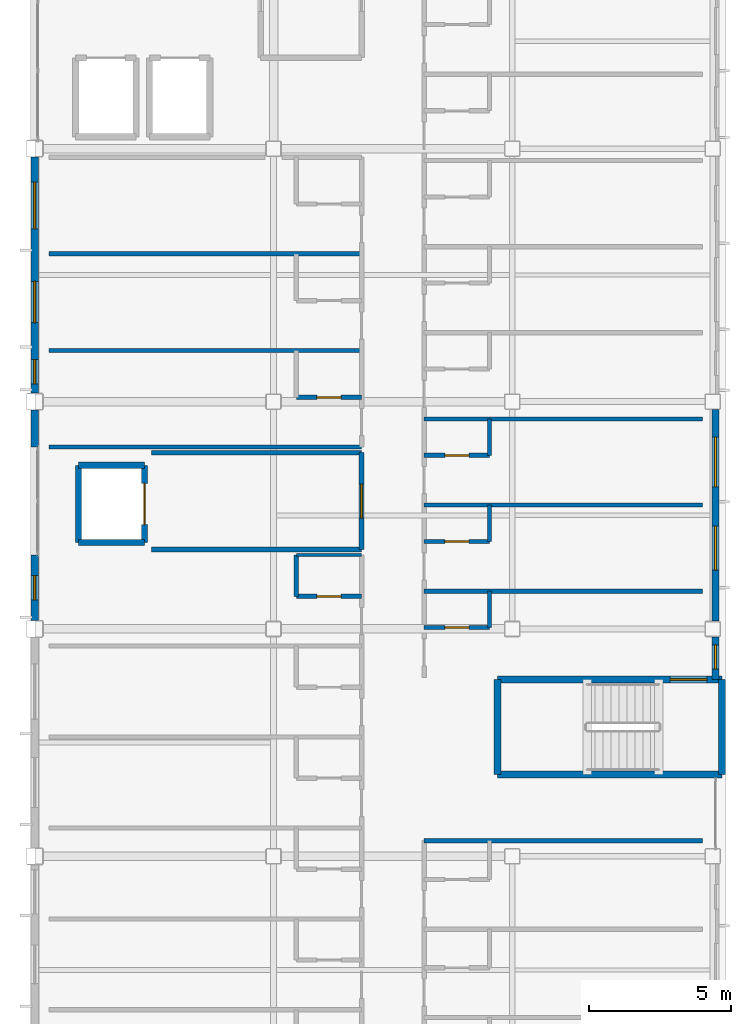
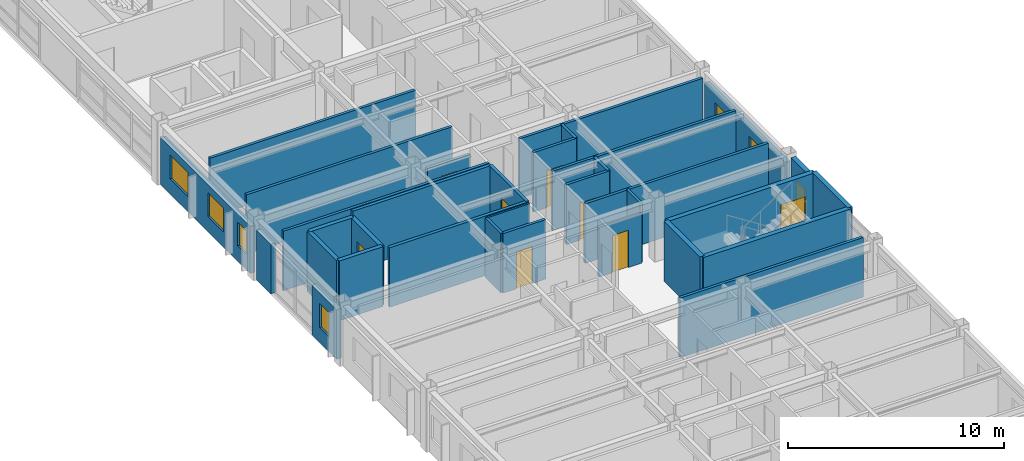
# One storey, part 25 of 38: 33 walls, 8 doors, 7 windows, 15 openings.
"""IFC4 building model written with IfcOpenShell, lengths in metres."""

from ifc_helpers import new_model, si_unit, direction, frame, frame_2d, origin, place, context, subcontext, project, spatial, rectangle, extrude, material, layer, layer_set, type_object, element, fill, save


model = new_model("IFC4")

# Units and contexts
model_context = context("Model", 3, precision=1e-05, world=origin(), true_north=direction((0.0, 1.0)))
body_context = subcontext(model_context, "Body", "Model", "MODEL_VIEW")
ifc_project = project(units=[si_unit("LENGTHUNIT", "METRE"), si_unit("AREAUNIT", "SQUARE_METRE"), si_unit("VOLUMEUNIT", "CUBIC_METRE"), si_unit("PLANEANGLEUNIT", "RADIAN"), si_unit("MASSUNIT", "GRAM", prefix="KILO")], contexts=[model_context])

# Site, building, storey
site_placement = place(None, origin())
site = spatial("IfcSite", under=ifc_project, at=site_placement, CompositionType="ELEMENT")
building_placement = place(site_placement, origin())
building = spatial("IfcBuilding", under=site, at=building_placement, Name="Kazehara Bluff Congress Hotel", CompositionType="ELEMENT")
storey_placement = place(building_placement, frame((0.0, 0.0, 24.60009765625)))
storey = spatial("IfcBuildingStorey", under=building, at=storey_placement, Name="L05", CompositionType="ELEMENT", Elevation=24.60009765625)

# Walls
ifc_material_1 = material(Name="Concrete C40/50", Category="concrete")
ifc_layer_1 = layer(ifc_material_1, 0.25)
ifc_layer_set_1 = layer_set([ifc_layer_1], Name="Concrete C40/50")
wall_type_1 = type_object("IfcWallType", Name="TP-CW-RC", PredefinedType="SHEAR", material=ifc_layer_set_1)
for number, where, z_axis, x_axis, name in (
    (1, (167.875, 22.22509765625, 0.0), (0.0, 0.0, 1.0), (0.0, -1.0, 0.0), "L05 ST-10 core wall near"),
    (2, (159.97509765625, 18.875, 0.0), (0.0, 0.0, 1.0), (0.0, 1.0, 0.0), "L05 ST-10 core wall far"),
):
    element("IfcWall", number, at=place(storey_placement, frame(where, z_axis=z_axis, x_axis=x_axis)), inside=storey, type_object=wall_type_1, Name=name, PredefinedType="SHEAR", context=body_context, shape_type="SweptSolid", body=[
        extrude(rectangle(XDim=3.35009765625, YDim=0.25, at=frame_2d((1.675048828125, 0.0))), origin(), (0.0, 0.0, 1.0), 3.3798828125),
    ])

# Wall, opening, door
wall_1_placement = place(storey_placement, frame((159.97509765625, 22.22509765625, 0.0), z_axis=(0.0, 0.0, 1.0), x_axis=(1.0, 0.0, 0.0)))
wall_1 = element("IfcWall", 3, at=wall_1_placement, inside=storey, type_object=wall_type_1, Name="L05 ST-10 core wall left", PredefinedType="SHEAR", context=body_context, shape_type="SweptSolid", body=[
    extrude(rectangle(XDim=7.89990234375, YDim=0.25, at=frame_2d((3.949951171875, 0.0))), origin(), (0.0, 0.0, 1.0), 3.3798828125),
])
opening_1_placement = place(wall_1_placement, frame((6.074951171875, 0.0, 0.0)))
opening_1 = element("IfcOpeningElement", 4, at=opening_1_placement, cuts=wall_1, Name="Opening FD-01", PredefinedType="OPENING", context=body_context, shape_type="SweptSolid", body=[
    extrude(rectangle(XDim=1.300048828125, YDim=2.199951171875, at=frame_2d((0.64990234375, 1.10009765625))), frame((0.0, 0.135009765625, 0.0), z_axis=(0.0, -1.0, 0.0), x_axis=(1.0, 0.0, 0.0)), (0.0, 0.0, 1.0), 0.27001953125),
])
ifc_material_2 = material(Name="Fire-rated painted steel leaf", Category="steel")
door_type_1 = type_object("IfcDoorType", Name="TP-FD-01", OperationType="NOTDEFINED", PredefinedType="DOOR", material=ifc_material_2)
door_1_placement = place(opening_1_placement, origin())
door_1 = element("IfcDoor", 5, at=door_1_placement, inside=storey, type_object=door_type_1, Name="L05 ST-10 fire stair door", OperationType="SINGLE_SWING_LEFT", OverallHeight=2.199951171875, OverallWidth=1.300048828125, PredefinedType="DOOR", context=body_context, shape_type="SweptSolid", body=[
    extrude(rectangle(XDim=1.300048828125, YDim=2.199951171875, at=frame_2d((0.64990234375, 1.10009765625))), frame((0.0, 0.02490234375, 0.0), z_axis=(0.0, -1.0, 0.0), x_axis=(1.0, 0.0, 0.0)), (0.0, 0.0, 1.0), 0.050048828125),
])
fill(opening_1, door_1)

# Wall
wall_2_placement = place(storey_placement, frame((167.875, 18.875, 0.0), z_axis=(0.0, 0.0, 1.0), x_axis=(-1.0, 0.0, 0.0)))
element("IfcWall", 6, at=wall_2_placement, inside=storey, type_object=wall_type_1, Name="L05 ST-10 core wall right", PredefinedType="SHEAR", context=body_context, shape_type="SweptSolid", body=[
    extrude(rectangle(XDim=7.89990234375, YDim=0.25, at=frame_2d((3.949951171875, 0.0))), origin(), (0.0, 0.0, 1.0), 3.3798828125),
])

# Wall, opening, window
ifc_material_3 = material(Name="Precast concrete C40/50", Category="concrete")
ifc_layer_2 = layer(ifc_material_3, 0.260009765625)
ifc_layer_set_2 = layer_set([ifc_layer_2], Name="Precast concrete C40/50")
wall_type_2 = type_object("IfcWallType", Name="TP-EW-260", PredefinedType="SOLIDWALL", material=ifc_layer_set_2)
wall_3_placement = place(storey_placement, frame((167.64990234375, 23.72509765625, 0.0), z_axis=(0.0, 0.0, 1.0), x_axis=(0.0, -1.0, 0.0)))
wall_3 = element("IfcWall", 7, at=wall_3_placement, inside=storey, type_object=wall_type_2, Name="L05 hotel facade panel 44", PredefinedType="SOLIDWALL", context=body_context, shape_type="SweptSolid", body=[
    extrude(rectangle(XDim=1.5, YDim=0.260009765625, at=frame_2d((0.75, 0.0))), origin(), (0.0, 0.0, 1.0), 3.364990234375),
])
opening_2_placement = place(wall_3_placement, frame((0.284912109375, 0.0, 0.85009765625)))
opening_2 = element("IfcOpeningElement", 8, at=opening_2_placement, cuts=wall_3, Name="Opening WN-55", PredefinedType="OPENING", context=body_context, shape_type="SweptSolid", body=[
    extrude(rectangle(XDim=0.85009765625, YDim=1.35009765625, at=frame_2d((0.425048828125, 0.675048828125))), frame((0.0, 0.139892578125, 0.0), z_axis=(0.0, -1.0, 0.0), x_axis=(1.0, 0.0, 0.0)), (0.0, 0.0, 1.0), 0.280029296875),
])
ifc_material_4 = material(Name="Insulated low-E double glazing", Category="glass")
window_type_1 = type_object("IfcWindowType", Name="TP-WN-55", PartitioningType="SINGLE_PANEL", PredefinedType="WINDOW", material=ifc_material_4)
window_1_placement = place(opening_2_placement, origin())
window_1 = element("IfcWindow", 9, at=window_1_placement, inside=storey, type_object=window_type_1, Name="L05 guestroom window WN-55 72", OverallHeight=1.35009765625, OverallWidth=0.85009765625, PartitioningType="SINGLE_PANEL", PredefinedType="WINDOW", context=body_context, shape_type="SweptSolid", body=[
    extrude(rectangle(XDim=0.85009765625, YDim=1.35009765625, at=frame_2d((0.425048828125, 0.675048828125))), frame((0.0, 0.030029296875, 0.0), z_axis=(0.0, -1.0, 0.0), x_axis=(1.0, 0.0, 0.0)), (0.0, 0.0, 1.0), 0.06005859375),
])
fill(opening_2, window_1)

# Wall, openings, windows
wall_4_placement = place(storey_placement, frame((167.64990234375, 31.72509765625, 0.0), z_axis=(0.0, 0.0, 1.0), x_axis=(0.0, -1.0, 0.0)))
wall_4 = element("IfcWall", 10, at=wall_4_placement, inside=storey, type_object=wall_type_2, Name="L05 hotel facade panel 45", PredefinedType="SOLIDWALL", context=body_context, shape_type="SweptSolid", body=[
    extrude(rectangle(XDim=7.4501953125, YDim=0.260009765625, at=frame_2d((3.72509765625, 0.0))), origin(), (0.0, 0.0, 1.0), 2.7548828125),
])
opening_3_placement = place(wall_4_placement, frame((4.10498046875, 0.0, 0.85009765625)))
opening_3 = element("IfcOpeningElement", 11, at=opening_3_placement, cuts=wall_4, Name="Opening WN-21", PredefinedType="OPENING", context=body_context, shape_type="SweptSolid", body=[
    extrude(rectangle(XDim=1.550048828125, YDim=1.35009765625, at=frame_2d((0.77490234375, 0.675048828125))), frame((0.0, 0.139892578125, 0.0), z_axis=(0.0, -1.0, 0.0), x_axis=(1.0, 0.0, 0.0)), (0.0, 0.0, 1.0), 0.280029296875),
])
opening_4_placement = place(wall_4_placement, frame((0.97509765625, 0.0, 0.85009765625)))
opening_4 = element("IfcOpeningElement", 12, at=opening_4_placement, cuts=wall_4, Name="Opening WN-31", PredefinedType="OPENING", context=body_context, shape_type="SweptSolid", body=[
    extrude(rectangle(XDim=1.75, YDim=1.35009765625, at=frame_2d((0.875, 0.675048828125))), frame((0.0, 0.139892578125, 0.0), z_axis=(0.0, -1.0, 0.0), x_axis=(1.0, 0.0, 0.0)), (0.0, 0.0, 1.0), 0.280029296875),
])
ifc_material_5 = material(Name="Insulated low-E double glazing", Category="glass")
window_type_2 = type_object("IfcWindowType", Name="TP-WN-21", PartitioningType="SINGLE_PANEL", PredefinedType="WINDOW", material=ifc_material_5)
window_2_placement = place(opening_3_placement, origin())
window_2 = element("IfcWindow", 13, at=window_2_placement, inside=storey, type_object=window_type_2, Name="L05 guestroom window WN-21 73", OverallHeight=1.35009765625, OverallWidth=1.550048828125, PartitioningType="SINGLE_PANEL", PredefinedType="WINDOW", context=body_context, shape_type="SweptSolid", body=[
    extrude(rectangle(XDim=1.550048828125, YDim=1.35009765625, at=frame_2d((0.77490234375, 0.675048828125))), frame((0.0, 0.030029296875, 0.0), z_axis=(0.0, -1.0, 0.0), x_axis=(1.0, 0.0, 0.0)), (0.0, 0.0, 1.0), 0.06005859375),
])
fill(opening_3, window_2)
ifc_material_6 = material(Name="Insulated low-E double glazing", Category="glass")
window_type_3 = type_object("IfcWindowType", Name="TP-WN-31", PartitioningType="SINGLE_PANEL", PredefinedType="WINDOW", material=ifc_material_6)
window_3_placement = place(opening_4_placement, origin())
window_3 = element("IfcWindow", 14, at=window_3_placement, inside=storey, type_object=window_type_3, Name="L05 guestroom window WN-31 74", OverallHeight=1.35009765625, OverallWidth=1.75, PartitioningType="SINGLE_PANEL", PredefinedType="WINDOW", context=body_context, shape_type="SweptSolid", body=[
    extrude(rectangle(XDim=1.75, YDim=1.35009765625, at=frame_2d((0.875, 0.675048828125))), frame((0.0, 0.030029296875, 0.0), z_axis=(0.0, -1.0, 0.0), x_axis=(1.0, 0.0, 0.0)), (0.0, 0.0, 1.0), 0.06005859375),
])
fill(opening_4, window_3)

# Wall, opening, window
wall_5_placement = place(storey_placement, frame((143.699951171875, 24.300048828125, 0.0), z_axis=(0.0, 0.0, 1.0), x_axis=(0.0, 1.0, 0.0)))
wall_5 = element("IfcWall", 15, at=wall_5_placement, inside=storey, type_object=wall_type_2, Name="L05 hotel facade panel 57", PredefinedType="SOLIDWALL", context=body_context, shape_type="SweptSolid", body=[
    extrude(rectangle(XDim=2.300048828125, YDim=0.260009765625, at=frame_2d((1.14990234375, 0.0))), origin(), (0.0, 0.0, 1.0), 2.804931640625),
])
opening_5_placement = place(wall_5_placement, frame((0.72509765625, 0.0, 0.85009765625)))
opening_5 = element("IfcOpeningElement", 16, at=opening_5_placement, cuts=wall_5, Name="Opening WN-55", PredefinedType="OPENING", context=body_context, shape_type="SweptSolid", body=[
    extrude(rectangle(XDim=0.85009765625, YDim=1.35009765625, at=frame_2d((0.425048828125, 0.675048828125))), frame((0.0, 0.139892578125, 0.0), z_axis=(0.0, -1.0, 0.0), x_axis=(1.0, 0.0, 0.0)), (0.0, 0.0, 1.0), 0.280029296875),
])
window_4_placement = place(opening_5_placement, origin())
window_4 = element("IfcWindow", 17, at=window_4_placement, inside=storey, type_object=window_type_1, Name="L05 guestroom window WN-55 101", OverallHeight=1.35009765625, OverallWidth=0.85009765625, PartitioningType="SINGLE_PANEL", PredefinedType="WINDOW", context=body_context, shape_type="SweptSolid", body=[
    extrude(rectangle(XDim=0.85009765625, YDim=1.35009765625, at=frame_2d((0.425048828125, 0.675048828125))), frame((0.0, 0.030029296875, 0.0), z_axis=(0.0, -1.0, 0.0), x_axis=(1.0, 0.0, 0.0)), (0.0, 0.0, 1.0), 0.06005859375),
])
fill(opening_5, window_4)

# Wall
wall_6_placement = place(storey_placement, frame((143.699951171875, 30.39990234375, 0.0), z_axis=(0.0, 0.0, 1.0), x_axis=(0.0, 1.0, 0.0)))
element("IfcWall", 18, at=wall_6_placement, inside=storey, type_object=wall_type_2, Name="L05 hotel facade panel 58", PredefinedType="SOLIDWALL", context=body_context, shape_type="SweptSolid", body=[
    extrude(rectangle(XDim=1.300048828125, YDim=0.260009765625, at=frame_2d((0.64990234375, 0.0))), origin(), (0.0, 0.0, 1.0), 2.804931640625),
])

# Wall, openings, windows
wall_7_placement = place(storey_placement, frame((143.699951171875, 32.300048828125, 0.0), z_axis=(0.0, 0.0, 1.0), x_axis=(0.0, 1.0, 0.0)))
wall_7 = element("IfcWall", 19, at=wall_7_placement, inside=storey, type_object=wall_type_2, Name="L05 hotel facade panel 59", PredefinedType="SOLIDWALL", context=body_context, shape_type="SweptSolid", body=[
    extrude(rectangle(XDim=8.300048828125, YDim=0.260009765625, at=frame_2d((4.14990234375, 0.0))), origin(), (0.0, 0.0, 1.0), 2.65478515625),
])
opening_6_placement = place(wall_7_placement, frame((0.324951171875, 0.0, 0.85009765625)))
opening_6 = element("IfcOpeningElement", 20, at=opening_6_placement, cuts=wall_7, Name="Opening WN-55", PredefinedType="OPENING", context=body_context, shape_type="SweptSolid", body=[
    extrude(rectangle(XDim=0.85009765625, YDim=1.35009765625, at=frame_2d((0.425048828125, 0.675048828125))), frame((0.0, 0.139892578125, 0.0), z_axis=(0.0, -1.0, 0.0), x_axis=(1.0, 0.0, 0.0)), (0.0, 0.0, 1.0), 0.280029296875),
])
opening_7_placement = place(wall_7_placement, frame((2.47509765625, 0.0, 0.85009765625)))
opening_7 = element("IfcOpeningElement", 21, at=opening_7_placement, cuts=wall_7, Name="Opening WN-16", PredefinedType="OPENING", context=body_context, shape_type="SweptSolid", body=[
    extrude(rectangle(XDim=1.449951171875, YDim=1.35009765625, at=frame_2d((0.72509765625, 0.675048828125))), frame((0.0, 0.139892578125, 0.0), z_axis=(0.0, -1.0, 0.0), x_axis=(1.0, 0.0, 0.0)), (0.0, 0.0, 1.0), 0.280029296875),
])
opening_8_placement = place(wall_7_placement, frame((5.77490234375, 0.0, 0.85009765625)))
opening_8 = element("IfcOpeningElement", 22, at=opening_8_placement, cuts=wall_7, Name="Opening WN-26", PredefinedType="OPENING", context=body_context, shape_type="SweptSolid", body=[
    extrude(rectangle(XDim=1.64990234375, YDim=1.35009765625, at=frame_2d((0.824951171875, 0.675048828125))), frame((0.0, 0.139892578125, 0.0), z_axis=(0.0, -1.0, 0.0), x_axis=(1.0, 0.0, 0.0)), (0.0, 0.0, 1.0), 0.280029296875),
])
ifc_material_7 = material(Name="Insulated low-E double glazing", Category="glass")
window_type_4 = type_object("IfcWindowType", Name="TP-WN-16", PartitioningType="SINGLE_PANEL", PredefinedType="WINDOW", material=ifc_material_7)
window_5_placement = place(opening_7_placement, origin())
window_5 = element("IfcWindow", 23, at=window_5_placement, inside=storey, type_object=window_type_4, Name="L05 guestroom window WN-16 103", OverallHeight=1.35009765625, OverallWidth=1.449951171875, PartitioningType="SINGLE_PANEL", PredefinedType="WINDOW", context=body_context, shape_type="SweptSolid", body=[
    extrude(rectangle(XDim=1.449951171875, YDim=1.35009765625, at=frame_2d((0.72509765625, 0.675048828125))), frame((0.0, 0.030029296875, 0.0), z_axis=(0.0, -1.0, 0.0), x_axis=(1.0, 0.0, 0.0)), (0.0, 0.0, 1.0), 0.06005859375),
])
fill(opening_7, window_5)
ifc_material_8 = material(Name="Insulated low-E double glazing", Category="glass")
window_type_5 = type_object("IfcWindowType", Name="TP-WN-26", PartitioningType="SINGLE_PANEL", PredefinedType="WINDOW", material=ifc_material_8)
window_6_placement = place(opening_8_placement, origin())
window_6 = element("IfcWindow", 24, at=window_6_placement, inside=storey, type_object=window_type_5, Name="L05 guestroom window WN-26 104", OverallHeight=1.35009765625, OverallWidth=1.64990234375, PartitioningType="SINGLE_PANEL", PredefinedType="WINDOW", context=body_context, shape_type="SweptSolid", body=[
    extrude(rectangle(XDim=1.64990234375, YDim=1.35009765625, at=frame_2d((0.824951171875, 0.675048828125))), frame((0.0, 0.030029296875, 0.0), z_axis=(0.0, -1.0, 0.0), x_axis=(1.0, 0.0, 0.0)), (0.0, 0.0, 1.0), 0.06005859375),
])
fill(opening_8, window_6)
window_7_placement = place(opening_6_placement, origin())
window_7 = element("IfcWindow", 25, at=window_7_placement, inside=storey, type_object=window_type_1, Name="L05 guestroom window WN-55 102", OverallHeight=1.35009765625, OverallWidth=0.85009765625, PartitioningType="SINGLE_PANEL", PredefinedType="WINDOW", context=body_context, shape_type="SweptSolid", body=[
    extrude(rectangle(XDim=0.85009765625, YDim=1.35009765625, at=frame_2d((0.425048828125, 0.675048828125))), frame((0.0, 0.030029296875, 0.0), z_axis=(0.0, -1.0, 0.0), x_axis=(1.0, 0.0, 0.0)), (0.0, 0.0, 1.0), 0.06005859375),
])
fill(opening_6, window_7)

# Walls
ifc_material_9 = material(Name="Fire-rated gypsum board stud partition")
ifc_layer_3 = layer(ifc_material_9, 0.094970703125)
ifc_layer_set_3 = layer_set([ifc_layer_3], Name="Fire-rated gypsum board stud partition")
wall_type_3 = type_object("IfcWallType", Name="TP-PT-095", PredefinedType="PARTITIONING", material=ifc_layer_set_3)
wall_8_placement = place(storey_placement, frame((152.89990234375, 26.60009765625, 0.0), z_axis=(0.0, 0.0, 1.0), x_axis=(1.0, 0.0, 0.0)))
element("IfcWall", 26, at=wall_8_placement, inside=storey, type_object=wall_type_3, Name="L05 partition PT-095 534", PredefinedType="PARTITIONING", context=body_context, shape_type="SweptSolid", body=[
    extrude(rectangle(XDim=2.300048828125, YDim=0.094970703125, at=frame_2d((1.14990234375, 0.0))), origin(), (0.0, 0.0, 1.0), 3.364990234375),
])
ifc_material_10 = material(Name="Fire-rated gypsum board stud partition")
ifc_layer_4 = layer(ifc_material_10, 0.14990234375)
ifc_layer_set_4 = layer_set([ifc_layer_4], Name="Fire-rated gypsum board stud partition")
wall_type_4 = type_object("IfcWallType", Name="TP-PT-150", PredefinedType="PARTITIONING", material=ifc_layer_set_4)
wall_9_placement = place(storey_placement, frame((157.39990234375, 16.550048828125, 0.0), z_axis=(0.0, 0.0, 1.0), x_axis=(1.0, 0.0, 0.0)))
element("IfcWall", 27, at=wall_9_placement, inside=storey, type_object=wall_type_4, Name="L05 partition PT-150 525", PredefinedType="PARTITIONING", context=body_context, shape_type="SweptSolid", body=[
    extrude(rectangle(XDim=9.800048828125, YDim=0.14990234375, at=frame_2d((4.89990234375, 0.0))), origin(), (0.0, 0.0, 1.0), 3.364990234375),
])

# Wall, opening, door
wall_10_placement = place(storey_placement, frame((157.39990234375, 24.050048828125, 0.0), z_axis=(0.0, 0.0, 1.0), x_axis=(1.0, 0.0, 0.0)))
wall_10 = element("IfcWall", 28, at=wall_10_placement, inside=storey, type_object=wall_type_4, Name="L05 partition PT-150 531", PredefinedType="PARTITIONING", context=body_context, shape_type="SweptSolid", body=[
    extrude(rectangle(XDim=2.300048828125, YDim=0.14990234375, at=frame_2d((1.14990234375, 0.0))), origin(), (0.0, 0.0, 1.0), 2.804931640625),
])
opening_9_placement = place(wall_10_placement, frame((0.72509765625, 0.0, 0.0)))
opening_9 = element("IfcOpeningElement", 29, at=opening_9_placement, cuts=wall_10, Name="Opening BD-01", PredefinedType="OPENING", context=body_context, shape_type="SweptSolid", body=[
    extrude(rectangle(XDim=0.85009765625, YDim=2.10009765625, at=frame_2d((0.425048828125, 1.050048828125))), frame((0.0, 0.0849609375, 0.0), z_axis=(0.0, -1.0, 0.0), x_axis=(1.0, 0.0, 0.0)), (0.0, 0.0, 1.0), 0.169921875),
])
ifc_material_11 = material(Name="Architectural oak veneer leaf")
door_type_2 = type_object("IfcDoorType", Name="TP-BD-01", OperationType="NOTDEFINED", PredefinedType="DOOR", material=ifc_material_11)
door_2_placement = place(opening_9_placement, origin())
door_2 = element("IfcDoor", 30, at=door_2_placement, inside=storey, type_object=door_type_2, Name="L05 En-suite Bathroom 97 door", OperationType="SINGLE_SWING_RIGHT", OverallHeight=2.10009765625, OverallWidth=0.85009765625, PredefinedType="DOOR", context=body_context, shape_type="SweptSolid", body=[
    extrude(rectangle(XDim=0.85009765625, YDim=2.10009765625, at=frame_2d((0.425048828125, 1.050048828125))), frame((0.0, 0.02490234375, 0.0), z_axis=(0.0, -1.0, 0.0), x_axis=(1.0, 0.0, 0.0)), (0.0, 0.0, 1.0), 0.050048828125),
])
fill(opening_9, door_2)

wall_11_placement = place(storey_placement, frame((152.89990234375, 25.14990234375, 0.0), z_axis=(0.0, 0.0, 1.0), x_axis=(1.0, 0.0, 0.0)))
wall_11 = element("IfcWall", 31, at=wall_11_placement, inside=storey, type_object=wall_type_4, Name="L05 partition PT-150 532", PredefinedType="PARTITIONING", context=body_context, shape_type="SweptSolid", body=[
    extrude(rectangle(XDim=2.300048828125, YDim=0.14990234375, at=frame_2d((1.14990234375, 0.0))), origin(), (0.0, 0.0, 1.0), 3.364990234375),
])
opening_10_placement = place(wall_11_placement, frame((0.72509765625, 0.0, 0.0)))
opening_10 = element("IfcOpeningElement", 32, at=opening_10_placement, cuts=wall_11, Name="Opening BD-01", PredefinedType="OPENING", context=body_context, shape_type="SweptSolid", body=[
    extrude(rectangle(XDim=0.85009765625, YDim=2.10009765625, at=frame_2d((0.425048828125, 1.050048828125))), frame((0.0, 0.0849609375, 0.0), z_axis=(0.0, -1.0, 0.0), x_axis=(1.0, 0.0, 0.0)), (0.0, 0.0, 1.0), 0.169921875),
])
door_3_placement = place(opening_10_placement, origin())
door_3 = element("IfcDoor", 33, at=door_3_placement, inside=storey, type_object=door_type_2, Name="L05 En-suite Bathroom 74 door", OperationType="SINGLE_SWING_RIGHT", OverallHeight=2.10009765625, OverallWidth=0.85009765625, PredefinedType="DOOR", context=body_context, shape_type="SweptSolid", body=[
    extrude(rectangle(XDim=0.85009765625, YDim=2.10009765625, at=frame_2d((0.425048828125, 1.050048828125))), frame((0.0, 0.02490234375, 0.0), z_axis=(0.0, -1.0, 0.0), x_axis=(1.0, 0.0, 0.0)), (0.0, 0.0, 1.0), 0.050048828125),
])
fill(opening_10, door_3)

# Wall
wall_12_placement = place(storey_placement, frame((157.39990234375, 25.330078125, 0.0), z_axis=(0.0, 0.0, 1.0), x_axis=(1.0, 0.0, 0.0)))
element("IfcWall", 34, at=wall_12_placement, inside=storey, type_object=wall_type_4, Name="L05 partition PT-150 533", PredefinedType="PARTITIONING", context=body_context, shape_type="SweptSolid", body=[
    extrude(rectangle(XDim=9.800048828125, YDim=0.14990234375, at=frame_2d((4.89990234375, 0.0))), origin(), (0.0, 0.0, 1.0), 3.364990234375),
])

# Wall, opening, door
wall_13_placement = place(storey_placement, frame((157.39990234375, 27.080078125, 0.0), z_axis=(0.0, 0.0, 1.0), x_axis=(1.0, 0.0, 0.0)))
wall_13 = element("IfcWall", 35, at=wall_13_placement, inside=storey, type_object=wall_type_4, Name="L05 partition PT-150 536", PredefinedType="PARTITIONING", context=body_context, shape_type="SweptSolid", body=[
    extrude(rectangle(XDim=2.300048828125, YDim=0.14990234375, at=frame_2d((1.14990234375, 0.0))), origin(), (0.0, 0.0, 1.0), 3.364990234375),
])
opening_11_placement = place(wall_13_placement, frame((0.72509765625, 0.0, 0.0)))
opening_11 = element("IfcOpeningElement", 36, at=opening_11_placement, cuts=wall_13, Name="Opening BD-01", PredefinedType="OPENING", context=body_context, shape_type="SweptSolid", body=[
    extrude(rectangle(XDim=0.85009765625, YDim=2.10009765625, at=frame_2d((0.425048828125, 1.050048828125))), frame((0.0, 0.0849609375, 0.0), z_axis=(0.0, -1.0, 0.0), x_axis=(1.0, 0.0, 0.0)), (0.0, 0.0, 1.0), 0.169921875),
])
door_4_placement = place(opening_11_placement, origin())
door_4 = element("IfcDoor", 37, at=door_4_placement, inside=storey, type_object=door_type_2, Name="L05 En-suite Bathroom 98 door", OperationType="SINGLE_SWING_RIGHT", OverallHeight=2.10009765625, OverallWidth=0.85009765625, PredefinedType="DOOR", context=body_context, shape_type="SweptSolid", body=[
    extrude(rectangle(XDim=0.85009765625, YDim=2.10009765625, at=frame_2d((0.425048828125, 1.050048828125))), frame((0.0, 0.02490234375, 0.0), z_axis=(0.0, -1.0, 0.0), x_axis=(1.0, 0.0, 0.0)), (0.0, 0.0, 1.0), 0.050048828125),
])
fill(opening_11, door_4)

# Wall
wall_14_placement = place(storey_placement, frame((157.39990234375, 28.360107421875, 0.0), z_axis=(0.0, 0.0, 1.0), x_axis=(1.0, 0.0, 0.0)))
element("IfcWall", 38, at=wall_14_placement, inside=storey, type_object=wall_type_4, Name="L05 partition PT-150 537", PredefinedType="PARTITIONING", context=body_context, shape_type="SweptSolid", body=[
    extrude(rectangle(XDim=9.800048828125, YDim=0.14990234375, at=frame_2d((4.89990234375, 0.0))), origin(), (0.0, 0.0, 1.0), 3.364990234375),
])

# Wall, opening, door
wall_15_placement = place(storey_placement, frame((157.39990234375, 30.110107421875, 0.0), z_axis=(0.0, 0.0, 1.0), x_axis=(1.0, 0.0, 0.0)))
wall_15 = element("IfcWall", 39, at=wall_15_placement, inside=storey, type_object=wall_type_4, Name="L05 partition PT-150 538", PredefinedType="PARTITIONING", context=body_context, shape_type="SweptSolid", body=[
    extrude(rectangle(XDim=2.300048828125, YDim=0.14990234375, at=frame_2d((1.14990234375, 0.0))), origin(), (0.0, 0.0, 1.0), 3.364990234375),
])
opening_12_placement = place(wall_15_placement, frame((0.72509765625, 0.0, 0.0)))
opening_12 = element("IfcOpeningElement", 40, at=opening_12_placement, cuts=wall_15, Name="Opening BD-01", PredefinedType="OPENING", context=body_context, shape_type="SweptSolid", body=[
    extrude(rectangle(XDim=0.85009765625, YDim=2.10009765625, at=frame_2d((0.425048828125, 1.050048828125))), frame((0.0, 0.0849609375, 0.0), z_axis=(0.0, -1.0, 0.0), x_axis=(1.0, 0.0, 0.0)), (0.0, 0.0, 1.0), 0.169921875),
])
door_5_placement = place(opening_12_placement, origin())
door_5 = element("IfcDoor", 41, at=door_5_placement, inside=storey, type_object=door_type_2, Name="L05 En-suite Bathroom 99 door", OperationType="SINGLE_SWING_RIGHT", OverallHeight=2.10009765625, OverallWidth=0.85009765625, PredefinedType="DOOR", context=body_context, shape_type="SweptSolid", body=[
    extrude(rectangle(XDim=0.85009765625, YDim=2.10009765625, at=frame_2d((0.425048828125, 1.050048828125))), frame((0.0, 0.02490234375, 0.0), z_axis=(0.0, -1.0, 0.0), x_axis=(1.0, 0.0, 0.0)), (0.0, 0.0, 1.0), 0.050048828125),
])
fill(opening_12, door_5)

# Walls
wall_16_placement = place(storey_placement, frame((144.199951171875, 30.39990234375, 0.0), z_axis=(0.0, 0.0, 1.0), x_axis=(1.0, 0.0, 0.0)))
element("IfcWall", 42, at=wall_16_placement, inside=storey, type_object=wall_type_4, Name="L05 partition PT-150 540", PredefinedType="PARTITIONING", context=body_context, shape_type="SweptSolid", body=[
    extrude(rectangle(XDim=11.0, YDim=0.14990234375, at=frame_2d((5.5, 0.0))), origin(), (0.0, 0.0, 1.0), 3.364990234375),
])
wall_17_placement = place(storey_placement, frame((157.39990234375, 31.389892578125, 0.0), z_axis=(0.0, 0.0, 1.0), x_axis=(1.0, 0.0, 0.0)))
element("IfcWall", 43, at=wall_17_placement, inside=storey, type_object=wall_type_4, Name="L05 partition PT-150 541", PredefinedType="PARTITIONING", context=body_context, shape_type="SweptSolid", body=[
    extrude(rectangle(XDim=9.800048828125, YDim=0.14990234375, at=frame_2d((4.89990234375, 0.0))), origin(), (0.0, 0.0, 1.0), 3.364990234375),
])

# Wall, opening, door
wall_18_placement = place(storey_placement, frame((152.89990234375, 32.14990234375, 0.0), z_axis=(0.0, 0.0, 1.0), x_axis=(1.0, 0.0, 0.0)))
wall_18 = element("IfcWall", 44, at=wall_18_placement, inside=storey, type_object=wall_type_4, Name="L05 partition PT-150 542", PredefinedType="PARTITIONING", context=body_context, shape_type="SweptSolid", body=[
    extrude(rectangle(XDim=2.300048828125, YDim=0.14990234375, at=frame_2d((1.14990234375, 0.0))), origin(), (0.0, 0.0, 1.0), 2.804931640625),
])
opening_13_placement = place(wall_18_placement, frame((0.72509765625, 0.0, 0.0)))
opening_13 = element("IfcOpeningElement", 45, at=opening_13_placement, cuts=wall_18, Name="Opening BD-01", PredefinedType="OPENING", context=body_context, shape_type="SweptSolid", body=[
    extrude(rectangle(XDim=0.85009765625, YDim=2.10009765625, at=frame_2d((0.425048828125, 1.050048828125))), frame((0.0, 0.0849609375, 0.0), z_axis=(0.0, -1.0, 0.0), x_axis=(1.0, 0.0, 0.0)), (0.0, 0.0, 1.0), 0.169921875),
])
door_6_placement = place(opening_13_placement, origin())
door_6 = element("IfcDoor", 46, at=door_6_placement, inside=storey, type_object=door_type_2, Name="L05 En-suite Bathroom 75 door", OperationType="SINGLE_SWING_RIGHT", OverallHeight=2.10009765625, OverallWidth=0.85009765625, PredefinedType="DOOR", context=body_context, shape_type="SweptSolid", body=[
    extrude(rectangle(XDim=0.85009765625, YDim=2.10009765625, at=frame_2d((0.425048828125, 1.050048828125))), frame((0.0, 0.02490234375, 0.0), z_axis=(0.0, -1.0, 0.0), x_axis=(1.0, 0.0, 0.0)), (0.0, 0.0, 1.0), 0.050048828125),
])
fill(opening_13, door_6)

# Walls
for number, where, z_axis, x_axis, name in (
    (47, (144.199951171875, 33.800048828125, 0.0), (0.0, 0.0, 1.0), (1.0, 0.0, 0.0), "L05 partition PT-150 544"),
    (48, (144.199951171875, 37.199951171875, 0.0), (0.0, 0.0, 1.0), (1.0, 0.0, 0.0), "L05 partition PT-150 548"),
):
    element("IfcWall", number, at=place(storey_placement, frame(where, z_axis=z_axis, x_axis=x_axis)), inside=storey, type_object=wall_type_4, Name=name, PredefinedType="PARTITIONING", context=body_context, shape_type="SweptSolid", body=[
        extrude(rectangle(XDim=11.0, YDim=0.14990234375, at=frame_2d((5.5, 0.0))), origin(), (0.0, 0.0, 1.0), 3.364990234375),
    ])
wall_19_placement = place(storey_placement, frame((152.89990234375, 25.14990234375, 0.0), z_axis=(0.0, 0.0, 1.0), x_axis=(0.0, 1.0, 0.0)))
element("IfcWall", 49, at=wall_19_placement, inside=storey, type_object=wall_type_4, Name="L05 partition PT-150 632", PredefinedType="PARTITIONING", context=body_context, shape_type="SweptSolid", body=[
    extrude(rectangle(XDim=1.4501953125, YDim=0.14990234375, at=frame_2d((0.72509765625, 0.0))), origin(), (0.0, 0.0, 1.0), 3.364990234375),
])
for number, where, z_axis, x_axis, name in (
    (50, (159.699951171875, 24.050048828125, 0.0), (0.0, 0.0, 1.0), (0.0, 1.0, 0.0), "L05 partition PT-150 665"),
    (51, (159.699951171875, 27.080078125, 0.0), (0.0, 0.0, 1.0), (0.0, 1.0, 0.0), "L05 partition PT-150 666"),
):
    element("IfcWall", number, at=place(storey_placement, frame(where, z_axis=z_axis, x_axis=x_axis)), inside=storey, type_object=wall_type_4, Name=name, PredefinedType="PARTITIONING", context=body_context, shape_type="SweptSolid", body=[
        extrude(rectangle(XDim=1.280029296875, YDim=0.14990234375, at=frame_2d((0.64013671875, 0.0))), origin(), (0.0, 0.0, 1.0), 3.364990234375),
    ])
wall_20_placement = place(storey_placement, frame((159.699951171875, 30.110107421875, 0.0), z_axis=(0.0, 0.0, 1.0), x_axis=(0.0, 1.0, 0.0)))
element("IfcWall", 52, at=wall_20_placement, inside=storey, type_object=wall_type_4, Name="L05 partition PT-150 667", PredefinedType="PARTITIONING", context=body_context, shape_type="SweptSolid", body=[
    extrude(rectangle(XDim=1.284912109375, YDim=0.14990234375, at=frame_2d((0.642578125, 0.0))), origin(), (0.0, 0.0, 1.0), 3.364990234375),
])
ifc_material_12 = material(Name="Fire-rated gypsum board stud partition")
ifc_layer_5 = layer(ifc_material_12, 0.169921875)
ifc_layer_set_5 = layer_set([ifc_layer_5], Name="Fire-rated gypsum board stud partition")
wall_type_5 = type_object("IfcWallType", Name="TP-PT-180", PredefinedType="PARTITIONING", material=ifc_layer_set_5)
for number, where, z_axis, x_axis, name in (
    (53, (147.800048828125, 26.800048828125, 0.0), (0.0, 0.0, 1.0), (1.0, 0.0, 0.0), "L05 partition PT-180 535"),
    (54, (147.800048828125, 30.199951171875, 0.0), (0.0, 0.0, 1.0), (1.0, 0.0, 0.0), "L05 partition PT-180 539"),
):
    element("IfcWall", number, at=place(storey_placement, frame(where, z_axis=z_axis, x_axis=x_axis)), inside=storey, type_object=wall_type_5, Name=name, PredefinedType="PARTITIONING", context=body_context, shape_type="SweptSolid", body=[
        extrude(rectangle(XDim=7.39990234375, YDim=0.169921875, at=frame_2d((3.699951171875, 0.0))), origin(), (0.0, 0.0, 1.0), 3.364990234375),
    ])

# Wall, opening, door
wall_21_placement = place(storey_placement, frame((155.199951171875, 26.800048828125, 0.0), z_axis=(0.0, 0.0, 1.0), x_axis=(0.0, 1.0, 0.0)))
wall_21 = element("IfcWall", 55, at=wall_21_placement, inside=storey, type_object=wall_type_5, Name="L05 partition PT-180 651", PredefinedType="PARTITIONING", context=body_context, shape_type="SweptSolid", body=[
    extrude(rectangle(XDim=3.39990234375, YDim=0.169921875, at=frame_2d((1.699951171875, 0.0))), origin(), (0.0, 0.0, 1.0), 3.364990234375),
])
opening_14_placement = place(wall_21_placement, frame((1.10009765625, 0.0, 0.0)))
opening_14 = element("IfcOpeningElement", 56, at=opening_14_placement, cuts=wall_21, Name="Opening FD-02", PredefinedType="OPENING", context=body_context, shape_type="SweptSolid", body=[
    extrude(rectangle(XDim=1.199951171875, YDim=2.199951171875, at=frame_2d((0.60009765625, 1.10009765625))), frame((0.0, 0.094970703125, 0.0), z_axis=(0.0, -1.0, 0.0), x_axis=(1.0, 0.0, 0.0)), (0.0, 0.0, 1.0), 0.18994140625),
])
ifc_material_13 = material(Name="Fire-rated painted steel leaf", Category="steel")
door_type_3 = type_object("IfcDoorType", Name="TP-FD-02", OperationType="NOTDEFINED", PredefinedType="DOOR", material=ifc_material_13)
door_7_placement = place(opening_14_placement, origin())
door_7 = element("IfcDoor", 57, at=door_7_placement, inside=storey, type_object=door_type_3, Name="L05 L05 Service Lift Lobby door", OperationType="SINGLE_SWING_LEFT", OverallHeight=2.199951171875, OverallWidth=1.199951171875, PredefinedType="DOOR", context=body_context, shape_type="SweptSolid", body=[
    extrude(rectangle(XDim=1.199951171875, YDim=2.199951171875, at=frame_2d((0.60009765625, 1.10009765625))), frame((0.0, 0.02490234375, 0.0), z_axis=(0.0, -1.0, 0.0), x_axis=(1.0, 0.0, 0.0)), (0.0, 0.0, 1.0), 0.050048828125),
])
fill(opening_14, door_7)

# Walls
ifc_material_14 = material(Name="Concrete C40/50", Category="concrete")
ifc_layer_6 = layer(ifc_material_14, 0.219970703125)
ifc_layer_set_6 = layer_set([ifc_layer_6], Name="Concrete C40/50")
wall_type_6 = type_object("IfcWallType", Name="TP-SW-RC", PredefinedType="SHEAR", material=ifc_layer_set_6)
for number, where, z_axis, x_axis, name in (
    (58, (145.239990234375, 29.760009765625, 0.0), (0.0, 0.0, 1.0), (1.0, 0.0, 0.0), "L05 EL-S3 lift shaft wall +Y"),
    (59, (145.239990234375, 27.0400390625, 0.0), (0.0, 0.0, 1.0), (1.0, 0.0, 0.0), "L05 EL-S3 lift shaft wall -Y"),
):
    element("IfcWall", number, at=place(storey_placement, frame(where, z_axis=z_axis, x_axis=x_axis)), inside=storey, type_object=wall_type_6, Name=name, PredefinedType="SHEAR", context=body_context, shape_type="SweptSolid", body=[
        extrude(rectangle(XDim=2.320068359375, YDim=0.219970703125, at=frame_2d((1.16015625, 0.0))), origin(), (0.0, 0.0, 1.0), 3.3798828125),
    ])

# Wall, opening, door
wall_22_placement = place(storey_placement, frame((147.56005859375, 27.0400390625, 0.0), z_axis=(0.0, 0.0, 1.0), x_axis=(0.0, 1.0, 0.0)))
wall_22 = element("IfcWall", 60, at=wall_22_placement, inside=storey, type_object=wall_type_6, Name="L05 EL-S3 lift shaft wall +X", PredefinedType="SHEAR", context=body_context, shape_type="SweptSolid", body=[
    extrude(rectangle(XDim=2.719970703125, YDim=0.219970703125, at=frame_2d((1.35986328125, 0.0))), origin(), (0.0, 0.0, 1.0), 3.3798828125),
])
opening_15_placement = place(wall_22_placement, frame((0.635009765625, 0.0, 0.0)))
opening_15 = element("IfcOpeningElement", 61, at=opening_15_placement, cuts=wall_22, Name="Opening LD-04", PredefinedType="OPENING", context=body_context, shape_type="SweptSolid", body=[
    extrude(rectangle(XDim=1.449951171875, YDim=2.35009765625, at=frame_2d((0.72509765625, 1.175048828125))), frame((0.0, 0.119873046875, 0.0), z_axis=(0.0, -1.0, 0.0), x_axis=(1.0, 0.0, 0.0)), (0.0, 0.0, 1.0), 0.239990234375),
])
ifc_material_15 = material(Name="Fire-rated painted steel leaf", Category="steel")
door_type_4 = type_object("IfcDoorType", Name="TP-LD-04", OperationType="SLIDING_TO_LEFT", PredefinedType="DOOR", material=ifc_material_15)
door_8_placement = place(opening_15_placement, origin())
door_8 = element("IfcDoor", 62, at=door_8_placement, inside=storey, type_object=door_type_4, Name="L05 EL-S3 elevator landing door", OperationType="SLIDING_TO_LEFT", OverallHeight=2.35009765625, OverallWidth=1.449951171875, PredefinedType="DOOR", context=body_context, shape_type="SweptSolid", body=[
    extrude(rectangle(XDim=1.449951171875, YDim=2.35009765625, at=frame_2d((0.72509765625, 1.175048828125))), frame((0.0, 0.02490234375, 0.0), z_axis=(0.0, -1.0, 0.0), x_axis=(1.0, 0.0, 0.0)), (0.0, 0.0, 1.0), 0.050048828125),
])
fill(opening_15, door_8)

# Wall
wall_23_placement = place(storey_placement, frame((145.239990234375, 27.0400390625, 0.0), z_axis=(0.0, 0.0, 1.0), x_axis=(0.0, 1.0, 0.0)))
element("IfcWall", 63, at=wall_23_placement, inside=storey, type_object=wall_type_6, Name="L05 EL-S3 lift shaft wall -X", PredefinedType="SHEAR", context=body_context, shape_type="SweptSolid", body=[
    extrude(rectangle(XDim=2.719970703125, YDim=0.219970703125, at=frame_2d((1.35986328125, 0.0))), origin(), (0.0, 0.0, 1.0), 3.3798828125),
])

save(model, "model.ifc")
